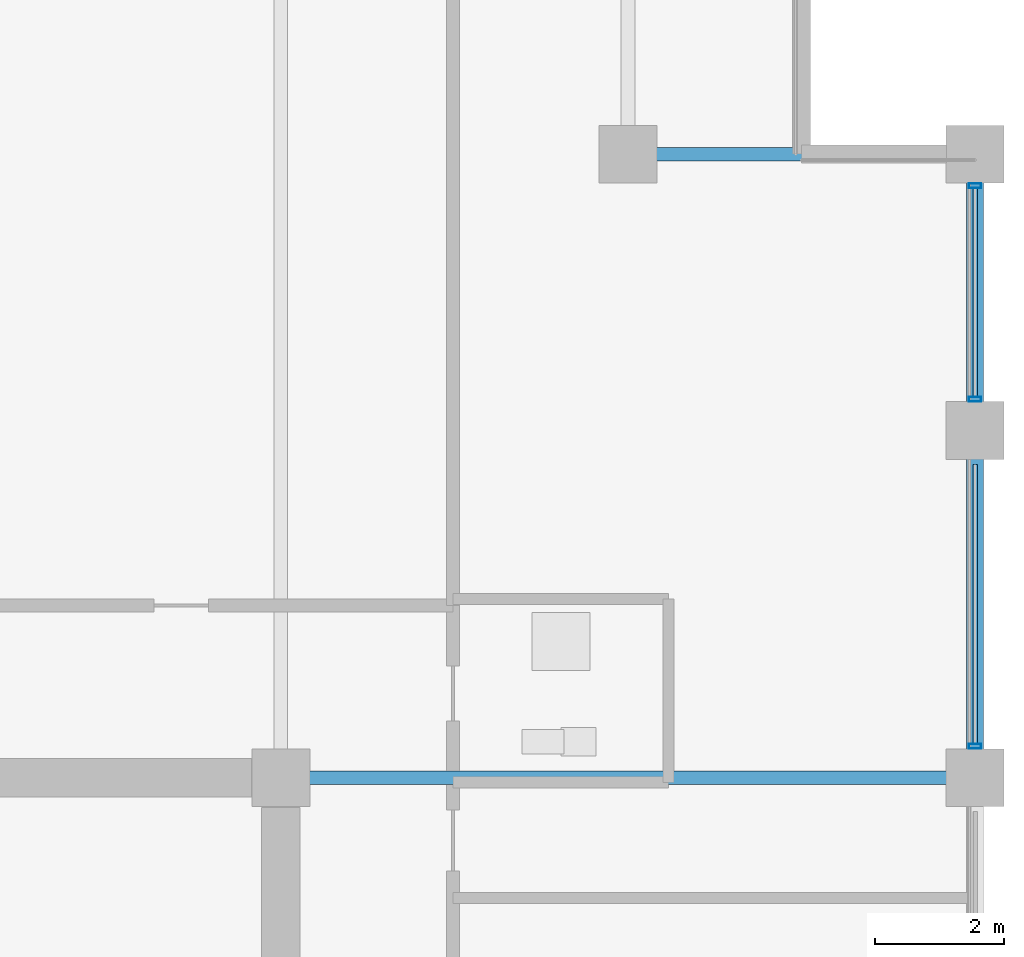
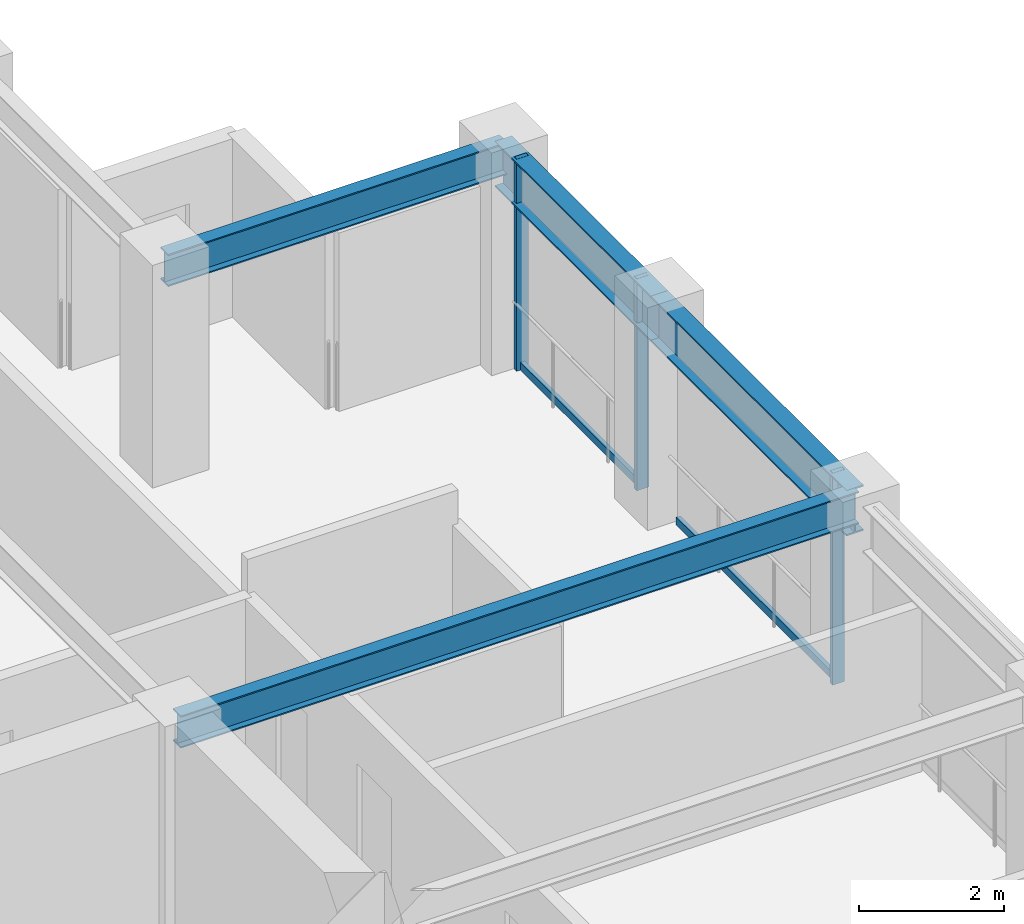
# One storey, part 22 of 36: 5 members, 4 beams, 1 element without a shape of its own.
"""IFC4 building model written with IfcOpenShell, lengths in metres."""

from ifc_helpers import new_model, si_unit, direction, frame, origin, origin_2d, place, context, subcontext, project, spatial, hollow_rectangle, i_section, extrude, material, layer, layer_set, material_profile, profile_set, type_object, element, aggregate, save


model = new_model("IFC4")

# Units and contexts
model_context = context("Model", 3, precision=1e-05, world=origin(), true_north=direction((0.0, 1.0)))
body_context = subcontext(model_context, "Body", "Model", "MODEL_VIEW")
ifc_project = project(units=[si_unit("LENGTHUNIT", "METRE"), si_unit("AREAUNIT", "SQUARE_METRE"), si_unit("VOLUMEUNIT", "CUBIC_METRE"), si_unit("PLANEANGLEUNIT", "RADIAN"), si_unit("MASSUNIT", "GRAM", prefix="KILO")], contexts=[model_context])

# Site, building, storey
site_placement = place(None, origin())
site = spatial("IfcSite", under=ifc_project, at=site_placement, CompositionType="ELEMENT")
building_placement = place(site_placement, origin())
building = spatial("IfcBuilding", under=site, at=building_placement, Name="Surkhivell Harbour Commons", CompositionType="ELEMENT")
storey_placement = place(building_placement, frame((0.0, 0.0, 171.0)))
storey = spatial("IfcBuildingStorey", under=building, at=storey_placement, Name="L44", CompositionType="ELEMENT", Elevation=171.0)

# Beams
ifc_material_1 = material(Name="Steel S355", Category="steel")
ifc_material_profile_1 = material_profile(ifc_material_1, i_section(OverallWidth=0.2119140625, OverallDepth=0.5439453125, WebThickness=0.0126953125, FlangeThickness=0.021240234375, at=origin_2d()), Name="UB533x210x122")
ifc_profile_set_1 = profile_set([ifc_material_profile_1], Name="Steel S355")
beam_type_1 = type_object("IfcBeamType", Name="BM-GRD-533A", PredefinedType="BEAM", material=ifc_profile_set_1)
beam_1_placement = place(storey_placement, frame((10.800048828125, 10.800048828125, 3.298095703125), z_axis=(1.0, 0.0, 0.0), x_axis=(0.0, 1.0, 0.0)))
element("IfcBeam", 1, at=beam_1_placement, inside=storey, type_object=beam_type_1, Name="L44 Floor Girder (10.8,10.8)", PredefinedType="BEAM", context=body_context, shape_type="SweptSolid", body=[
    extrude(i_section(OverallWidth=0.2119140625, OverallDepth=0.5439453125, WebThickness=0.0126953125, FlangeThickness=0.021240234375, at=origin_2d()), origin(), (0.0, 0.0, 1.0), 10.800048828125),
])
beam_2_placement = place(storey_placement, frame((16.199951171875, 20.5, 3.298095703125), z_axis=(1.0, 0.0, 0.0), x_axis=(0.0, 1.0, 0.0)))
element("IfcBeam", 2, at=beam_2_placement, inside=storey, type_object=beam_type_1, Name="L44 Floor Girder (16.2,20.5)", PredefinedType="BEAM", context=body_context, shape_type="SweptSolid", body=[
    extrude(i_section(OverallWidth=0.2119140625, OverallDepth=0.5439453125, WebThickness=0.0126953125, FlangeThickness=0.021240234375, at=origin_2d()), origin(), (0.0, 0.0, 1.0), 5.400146484375),
])
ifc_material_profile_2 = material_profile(ifc_material_1, i_section(OverallWidth=0.26806640625, OverallDepth=0.77001953125, WebThickness=0.015625, FlangeThickness=0.025390625, at=origin_2d()), Name="UB762x267x197")
ifc_profile_set_2 = profile_set([ifc_material_profile_2], Name="Steel S355")
beam_type_2 = type_object("IfcBeamType", Name="BM-SPN-762", PredefinedType="SPANDREL", material=ifc_profile_set_2)
beam_3_placement = place(storey_placement, frame((21.60009765625, 10.800048828125, 3.18505859375), z_axis=(0.0, 1.0, 0.0), x_axis=(-1.0, 0.0, 0.0)))
element("IfcBeam", 3, at=beam_3_placement, inside=storey, type_object=beam_type_2, Name="L44 Tube Spandrel (21.6,10.8)", PredefinedType="SPANDREL", context=body_context, shape_type="SweptSolid", body=[
    extrude(i_section(OverallWidth=0.26806640625, OverallDepth=0.77001953125, WebThickness=0.015625, FlangeThickness=0.025390625, at=origin_2d()), origin(), (0.0, 0.0, 1.0), 5.39990234375),
])
beam_4_placement = place(storey_placement, frame((21.60009765625, 16.199951171875, 3.18505859375), z_axis=(0.0, 1.0, 0.0), x_axis=(-1.0, 0.0, 0.0)))
element("IfcBeam", 4, at=beam_4_placement, inside=storey, type_object=beam_type_2, Name="L44 Tube Spandrel (21.6,16.2)", PredefinedType="SPANDREL", context=body_context, shape_type="SweptSolid", body=[
    extrude(i_section(OverallWidth=0.26806640625, OverallDepth=0.77001953125, WebThickness=0.015625, FlangeThickness=0.025390625, at=origin_2d()), origin(), (0.0, 0.0, 1.0), 4.300048828125),
])

# Curtain wall, members
ifc_material_2 = material(Name="Anodised pale-metal aluminium and insulated glazing", Category="aluminium")
ifc_layer = layer(ifc_material_2, 0.18994140625)
ifc_layer_set = layer_set([ifc_layer], Name="Anodised pale-metal aluminium and insulated glazing")
curtain_wall_type = type_object("IfcCurtainWallType", Name="CW-SYS-Z3", PredefinedType="NOTDEFINED", material=ifc_layer_set)
curtain_wall_placement = place(storey_placement, origin())
curtain_wall = element("IfcCurtainWall", 5, at=curtain_wall_placement, inside=storey, type_object=curtain_wall_type, Name="L44 Curtain Wall CW-L44-E02", PredefinedType="NOTDEFINED")
ifc_material_3 = material(Name="Anodised pale-metal aluminium alloy 6063-T6", Category="aluminium")
ifc_material_profile_3 = material_profile(ifc_material_3, hollow_rectangle(XDim=0.074951171875, YDim=0.18994140625, WallThickness=0.00390625, at=origin_2d()), Name="ALU-MULL-75x190")
ifc_profile_set_3 = profile_set([ifc_material_profile_3], Name="Anodised pale-metal aluminium alloy 6063-T6")
member_type_1 = type_object("IfcMemberType", Name="CWM-190", PredefinedType="MULLION", material=ifc_profile_set_3)
member_1_placement = place(storey_placement, frame((21.60009765625, 11.28955078125, 0.0), z_axis=(0.0, 0.0, 1.0), x_axis=(0.0, 1.0, 0.0)))
member_1 = element("IfcMember", 6, at=member_1_placement, type_object=member_type_1, Name="CW-Z3 mullion 4", PredefinedType="MULLION", context=body_context, shape_type="SweptSolid", body=[
    extrude(hollow_rectangle(XDim=0.074951171875, YDim=0.18994140625, WallThickness=0.00390625, at=origin_2d()), origin(), (0.0, 0.0, 1.0), 3.570068359375),
])
member_2_placement = place(storey_placement, frame((21.60009765625, 16.689453125, 0.0), z_axis=(0.0, 0.0, 1.0), x_axis=(0.0, 1.0, 0.0)))
member_2 = element("IfcMember", 7, at=member_2_placement, type_object=member_type_1, Name="CW-Z3 mullion 5", PredefinedType="MULLION", context=body_context, shape_type="SweptSolid", body=[
    extrude(hollow_rectangle(XDim=0.074951171875, YDim=0.18994140625, WallThickness=0.00390625, at=origin_2d()), origin(), (0.0, 0.0, 1.0), 3.570068359375),
])
member_3_placement = place(storey_placement, frame((21.60009765625, 20.010498046875, 0.0), z_axis=(0.0, 0.0, 1.0), x_axis=(0.0, 1.0, 0.0)))
member_3 = element("IfcMember", 8, at=member_3_placement, type_object=member_type_1, Name="CW-Z3 mullion 6", PredefinedType="MULLION", context=body_context, shape_type="SweptSolid", body=[
    extrude(hollow_rectangle(XDim=0.074951171875, YDim=0.18994140625, WallThickness=0.00390625, at=origin_2d()), origin(), (0.0, 0.0, 1.0), 3.570068359375),
])
ifc_material_4 = material(Name="Champagne anodised aluminium alloy 6063-T6", Category="aluminium")
ifc_material_profile_4 = material_profile(ifc_material_4, hollow_rectangle(XDim=0.070068359375, YDim=0.1298828125, WallThickness=0.00341796875, at=origin_2d()), Name="ALU-TRAN-70x130")
ifc_profile_set_4 = profile_set([ifc_material_profile_4], Name="Champagne anodised aluminium alloy 6063-T6")
member_type_2 = type_object("IfcMemberType", Name="CWT-130", PredefinedType="USERDEFINED", material=ifc_profile_set_4)
member_4_placement = place(storey_placement, frame((21.60009765625, 11.326904296875, 0.06494140625), z_axis=(0.0, 1.0, 0.0), x_axis=(-1.0, 0.0, 0.0)))
member_4 = element("IfcMember", 9, at=member_4_placement, type_object=member_type_2, Name="CW-Z3 transom 4.1", ObjectType="TRANSOM", PredefinedType="USERDEFINED", context=body_context, shape_type="SweptSolid", body=[
    extrude(hollow_rectangle(XDim=0.070068359375, YDim=0.1298828125, WallThickness=0.00341796875, at=origin_2d()), origin(), (0.0, 0.0, 1.0), 4.34619140625),
])
member_5_placement = place(storey_placement, frame((21.60009765625, 16.72705078125, 0.06494140625), z_axis=(0.0, 1.0, 0.0), x_axis=(-1.0, 0.0, 0.0)))
member_5 = element("IfcMember", 10, at=member_5_placement, type_object=member_type_2, Name="CW-Z3 transom 5.1", ObjectType="TRANSOM", PredefinedType="USERDEFINED", context=body_context, shape_type="SweptSolid", body=[
    extrude(hollow_rectangle(XDim=0.070068359375, YDim=0.1298828125, WallThickness=0.00341796875, at=origin_2d()), origin(), (0.0, 0.0, 1.0), 3.245849609375),
])
aggregate(curtain_wall, [member_1, member_4, member_2, member_3, member_5])

save(model, "model.ifc")
